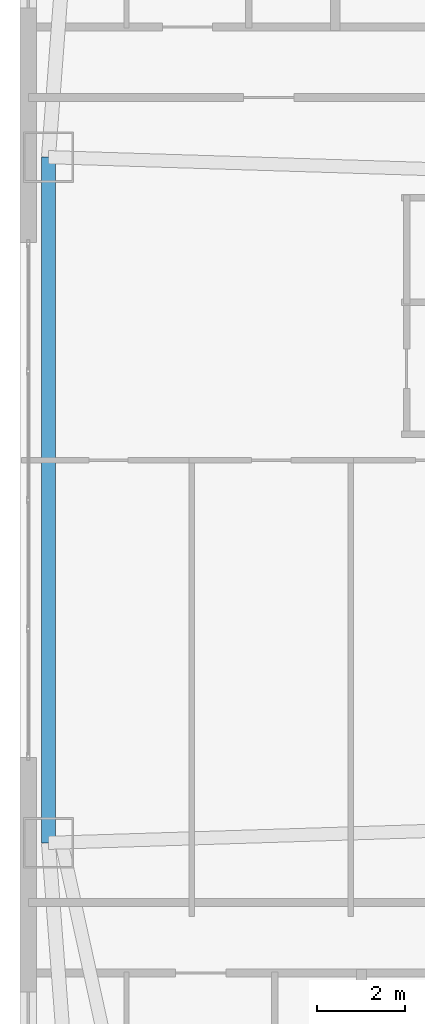
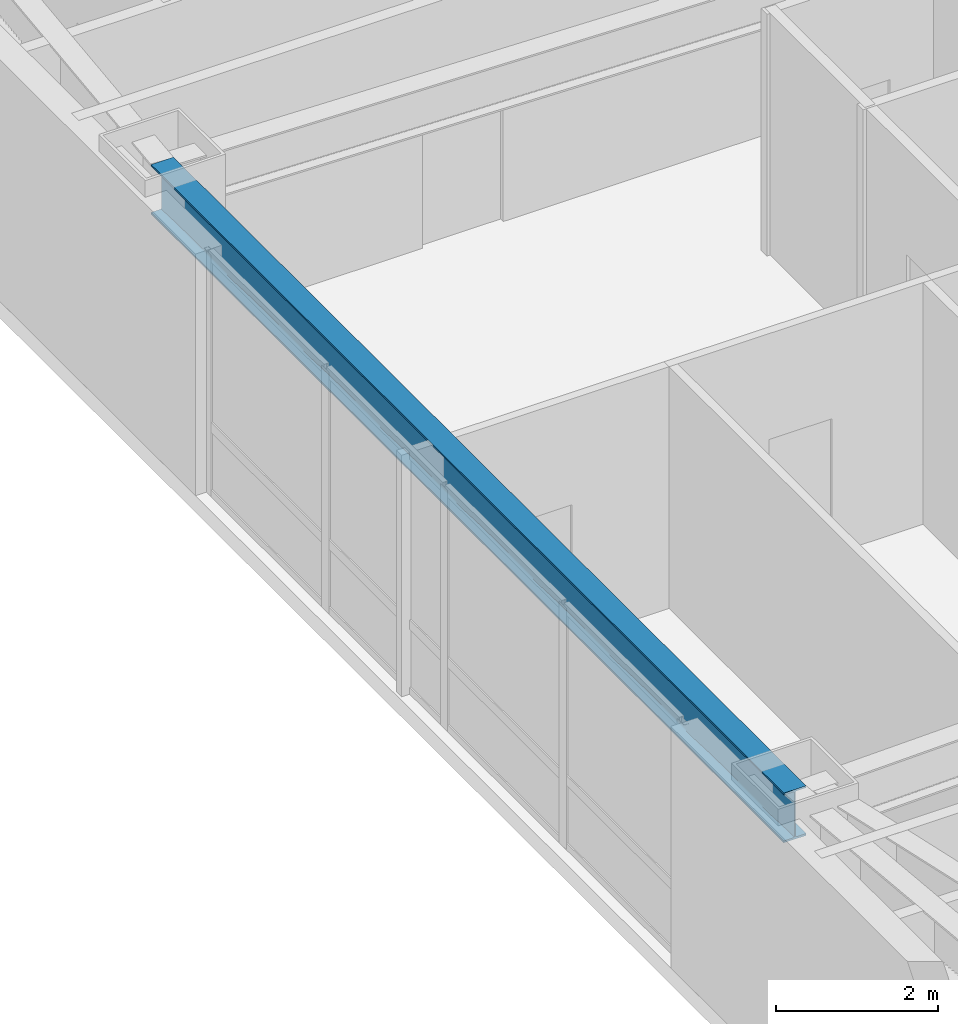
# One storey, part 6 of 28: 1 beam.
"""IFC4 building model written with IfcOpenShell, lengths in metres."""

from ifc_helpers import new_model, si_unit, direction, frame, origin, origin_2d, place, context, subcontext, project, spatial, i_section, extrude, material, material_profile, profile_set, type_object, element, save


model = new_model("IFC4")

# Units and contexts
model_context = context("Model", 3, precision=1e-05, world=origin(), true_north=direction((0.0, 1.0)))
body_context = subcontext(model_context, "Body", "Model", "MODEL_VIEW")
ifc_project = project(units=[si_unit("LENGTHUNIT", "METRE"), si_unit("AREAUNIT", "SQUARE_METRE"), si_unit("VOLUMEUNIT", "CUBIC_METRE"), si_unit("PLANEANGLEUNIT", "RADIAN"), si_unit("MASSUNIT", "GRAM", prefix="KILO")], contexts=[model_context])

# Site, building, storey
site_placement = place(None, origin())
site = spatial("IfcSite", under=ifc_project, at=site_placement, CompositionType="ELEMENT")
building_placement = place(site_placement, origin())
building = spatial("IfcBuilding", under=site, at=building_placement, Name="Voryun Gate Residences", CompositionType="ELEMENT")
storey_placement = place(building_placement, frame((0.0, 0.0, 61.10009765625)))
storey = spatial("IfcBuildingStorey", under=building, at=storey_placement, Name="L14", CompositionType="ELEMENT", Elevation=61.10009765625)

# Beam
ifc_material = material(Name="Steel SM355", Category="steel")
ifc_material_profile = material_profile(ifc_material, i_section(OverallWidth=0.320068359375, OverallDepth=0.75, WebThickness=0.01611328125, FlangeThickness=0.028076171875, FilletRadius=0.01806640625, at=origin_2d()), Name="H-750x320x16x28")
ifc_profile_set = profile_set([ifc_material_profile], Name="Steel SM355")
beam_type = type_object("IfcBeamType", Name="BM_EXO_SPANDREL_L", PredefinedType="SPANDREL", material=ifc_profile_set)
beam_placement = place(storey_placement, frame((-32.949951171875, 7.830078125, 3.27490234375), z_axis=(0.0, -1.0, 0.0), x_axis=(1.0, 0.0, 0.0)))
element("IfcBeam", 1, at=beam_placement, inside=storey, type_object=beam_type, Name="BM-L14-SPAND-18", PredefinedType="SPANDREL", context=body_context, shape_type="SweptSolid", body=[
    extrude(i_section(OverallWidth=0.320068359375, OverallDepth=0.75, WebThickness=0.01611328125, FlangeThickness=0.028076171875, FilletRadius=0.01806640625, at=origin_2d()), origin(), (0.0, 0.0, 1.0), 15.66015625),
])

save(model, "model.ifc")
